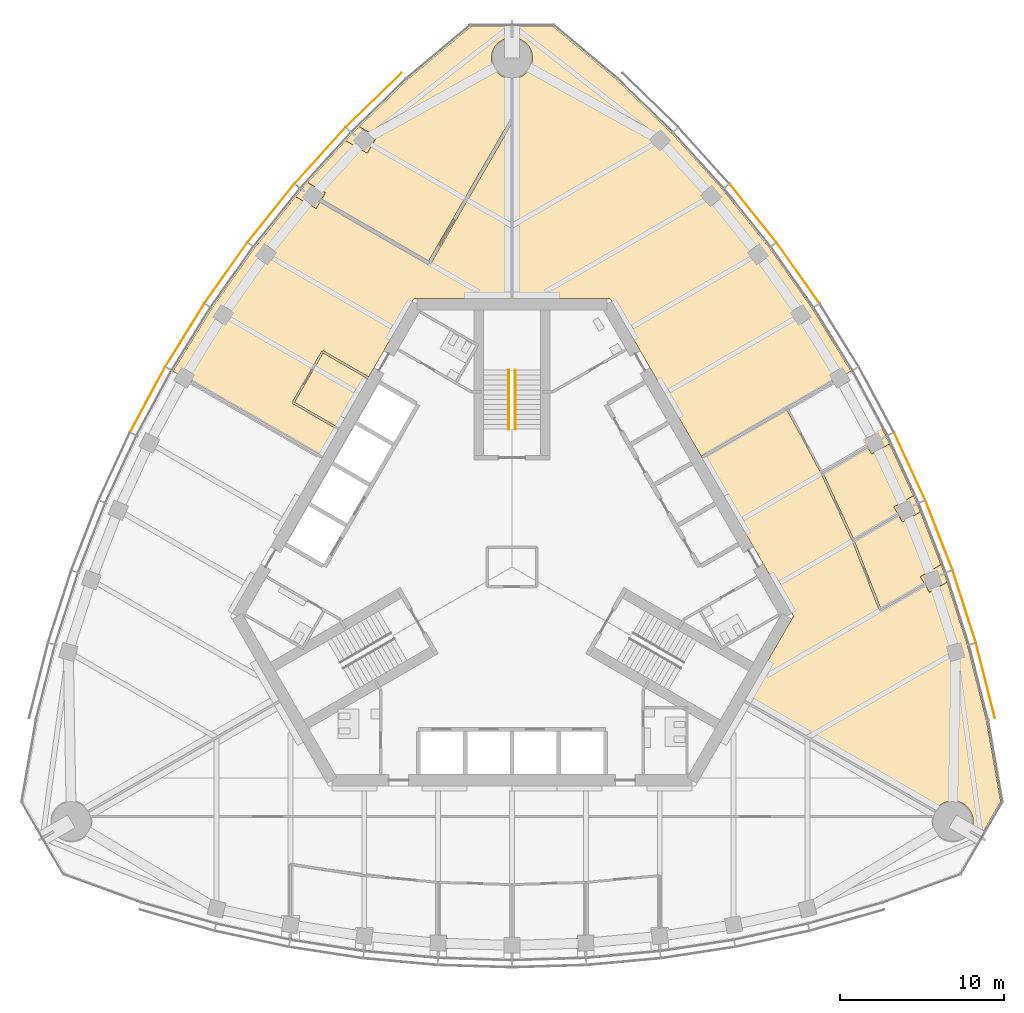
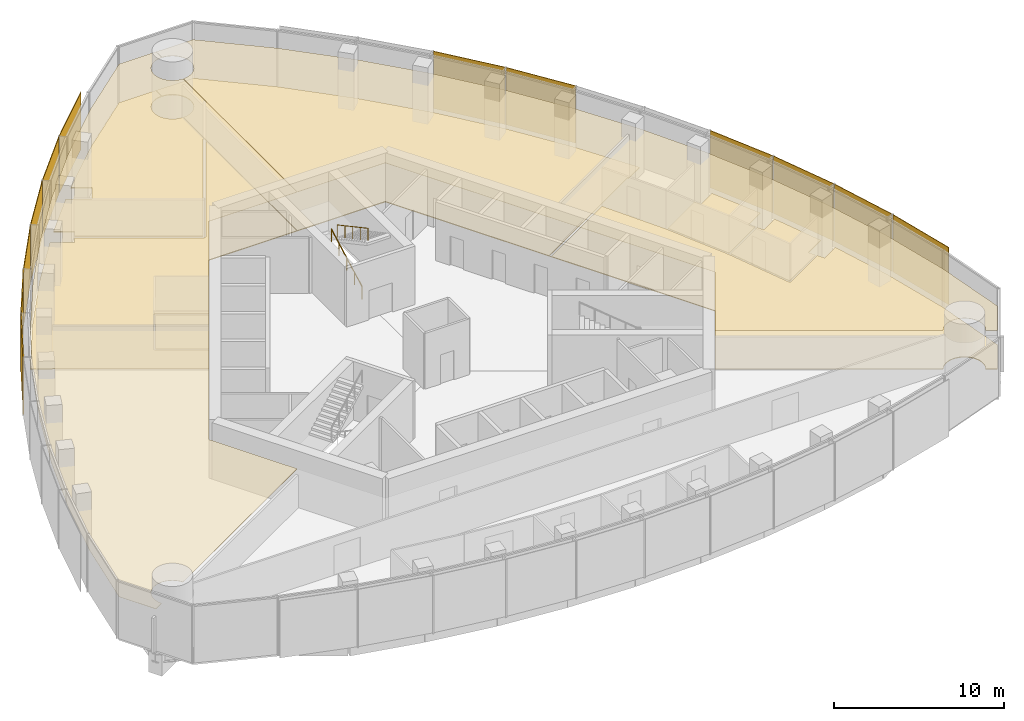
# One storey, part 13 of 16: 12 shading devices, 9 coverings, 2 railings.
"""IFC4 building model written with IfcOpenShell, lengths in metres."""

import ifcopenshell
import ifcopenshell.guid

model = None  # the IFC model being written
_history = None  # IfcOwnerHistory: only IFC2X3 demands one
_inside = {}  # id of a spatial element -> (the spatial element, [elements in it])
_under = {}  # id of a project, library or spatial element -> (it, [spatial elements below it])
_declared = {}  # id of a project -> (the project, [libraries it declares])
_typed = {}  # id of a type object -> (the type object, [elements of that type])
_made_of = {}  # id of a material, layer set ... -> (it, [elements and type objects made of it])


def new_model(schema):
    """Start an empty IFC model of exactly this schema.

    Asked for "IFC4X3", IfcOpenShell would pick the latest addendum, in which some entities
    have other attributes; the version numbers below select the first issue.
    IFC2X3 requires an IfcOwnerHistory on every rooted entity: one is made here for all.
    """
    global model, _history
    if schema == "IFC4X3":
        model = ifcopenshell.file(schema_version=(4, 3, 0, 0))
    else:
        model = ifcopenshell.file(schema=schema)
    _inside.clear()
    _under.clear()
    _declared.clear()
    _typed.clear()
    _made_of.clear()
    _history = None
    if model.schema == "IFC2X3":
        org = make("IfcOrganization", Name="unknown")
        user = make(
            "IfcPersonAndOrganization",
            ThePerson=make("IfcPerson", FamilyName="unknown"),
            TheOrganization=org,
        )
        app = make(
            "IfcApplication",
            ApplicationDeveloper=org,
            Version="unknown",
            ApplicationFullName="unknown",
            ApplicationIdentifier="unknown",
        )
        _history = make(
            "IfcOwnerHistory",
            OwningUser=user,
            OwningApplication=app,
            ChangeAction="ADDED",
            CreationDate=0,
        )
    return model


def make(cls, **values):
    """One entity of the class cls with the attributes given. An attribute that is None is left unset."""
    return model.create_entity(
        cls, **{name: value for name, value in values.items() if value is not None}
    )


def rooted(cls, **values):
    """An entity with a GlobalId (a new one), such as an element, a storey or a relation."""
    return make(cls, GlobalId=ifcopenshell.guid.new(), OwnerHistory=_history, **values)


def si_unit(unit_type, name, prefix=None):
    """IfcSIUnit, for example si_unit("LENGTHUNIT", "METRE", prefix="MILLI")."""
    return make("IfcSIUnit", UnitType=unit_type, Prefix=prefix, Name=name)


def assignment(units):
    """IfcUnitAssignment: the units of a project."""
    return None if units is None else make("IfcUnitAssignment", Units=units)


def point(xyz):
    """IfcCartesianPoint."""
    return None if xyz is None else make("IfcCartesianPoint", Coordinates=xyz)


def direction(xyz):
    """IfcDirection."""
    return None if xyz is None else make("IfcDirection", DirectionRatios=xyz)


def frame(location, z_axis=None, x_axis=None):
    """IfcAxis2Placement3D, a coordinate frame: its origin and axes. An axis left out is left unset."""
    return make(
        "IfcAxis2Placement3D",
        Location=point(location),
        Axis=direction(z_axis),
        RefDirection=direction(x_axis),
    )


def frame_2d(location, x_axis=None):
    """IfcAxis2Placement2D, a coordinate frame in the plane: its origin and x axis."""
    return make(
        "IfcAxis2Placement2D", Location=point(location), RefDirection=direction(x_axis)
    )


def origin():
    """The frame at (0, 0, 0) with its axes left unset."""
    return frame((0.0, 0.0, 0.0))


def origin_2d():
    """The frame at (0, 0) in the plane with its x axis left unset."""
    return frame_2d((0.0, 0.0))


def place(relative_to, where):
    """IfcLocalPlacement: puts the frame where relative to a parent placement (None: the world)."""
    return make(
        "IfcLocalPlacement", PlacementRelTo=relative_to, RelativePlacement=where
    )


def context(
    kind, dimensions, precision=None, world=None, true_north=None, identifier=None
):
    """IfcGeometricRepresentationContext, for example the 3D "Model" context."""
    return make(
        "IfcGeometricRepresentationContext",
        ContextIdentifier=identifier,
        ContextType=kind,
        CoordinateSpaceDimension=dimensions,
        Precision=precision,
        WorldCoordinateSystem=world,
        TrueNorth=true_north,
    )


def subcontext(parent, identifier, kind, view, scale=None):
    """IfcGeometricRepresentationSubContext, for example "Body" below "Model"."""
    return make(
        "IfcGeometricRepresentationSubContext",
        ContextIdentifier=identifier,
        ContextType=kind,
        ParentContext=parent,
        TargetScale=scale,
        TargetView=view,
    )


def project(units=None, contexts=None):
    """IfcProject with its units and contexts."""
    return rooted(
        "IfcProject",
        Name="project",
        RepresentationContexts=contexts,
        UnitsInContext=assignment(units),
    )


def spatial(cls, under=None, at=None, **own):
    """A site, building, storey or space (cls), placed at a placement, below another one or the project."""
    s = rooted(cls, ObjectPlacement=at, **own)
    if under is not None:
        _under.setdefault(under.id(), (under, []))[1].append(s)
    return s


def polyline(points):
    """IfcPolyline through the points."""
    return make("IfcPolyline", Points=[point(p) for p in points])


def profile(cls, at=None, kind="AREA", **sizes):
    """A parametric profile (cls). Its sizes go by their IFC names, for example OverallWidth=200.0."""
    return make(cls, ProfileType=kind, Position=at, **sizes)


def rectangle(**sizes):
    """IfcRectangleProfileDef."""
    return profile("IfcRectangleProfileDef", **sizes)


def circle(**sizes):
    """IfcCircleProfileDef."""
    return profile("IfcCircleProfileDef", **sizes)


def outline(outer, holes=None, kind="AREA"):
    """IfcArbitraryClosedProfileDef: a profile drawn as a closed curve; with holes, ...WithVoids."""
    if holes is None:
        return make("IfcArbitraryClosedProfileDef", ProfileType=kind, OuterCurve=outer)
    return make(
        "IfcArbitraryProfileDefWithVoids",
        ProfileType=kind,
        OuterCurve=outer,
        InnerCurves=holes,
    )


def extrude(swept, where, along, depth):
    """IfcExtrudedAreaSolid: the profile swept, set in the frame where, extruded along a direction by depth."""
    return make(
        "IfcExtrudedAreaSolid",
        SweptArea=swept,
        Position=where,
        ExtrudedDirection=direction(along),
        Depth=depth,
    )


def shape(context_of_items, identifier, shape_type, items):
    """IfcShapeRepresentation: the items that make up one representation, for example the "Body"."""
    return make(
        "IfcShapeRepresentation",
        ContextOfItems=context_of_items,
        RepresentationIdentifier=identifier,
        RepresentationType=shape_type,
        Items=items,
    )


def material(Name=None, Category=None):
    """IfcMaterial."""
    return make("IfcMaterial", Name=Name, Category=Category)


def layer(
    of_material, thickness, ventilated=None, Name=None, Category=None, Priority=None
):
    """IfcMaterialLayer: one layer of a wall or slab, of a material (None: an air gap)."""
    return make(
        "IfcMaterialLayer",
        Material=of_material,
        LayerThickness=thickness,
        IsVentilated=ventilated,
        Name=Name,
        Category=Category,
        Priority=Priority,
    )


def layer_set(layers, Name=None):
    """IfcMaterialLayerSet."""
    return make("IfcMaterialLayerSet", MaterialLayers=layers, LayerSetName=Name)


def made_of(thing, what):
    """Note that an element or type object is made of a material, layer set ...; save() writes the relation."""
    if what is not None:
        _made_of.setdefault(what.id(), (what, []))[1].append(thing)
    return thing


def type_object(cls, material=None, **own):
    """A type object (cls), such as IfcWallType, which elements share."""
    return made_of(rooted(cls, **own), material)


def element(
    cls,
    number,
    at=None,
    inside=None,
    cuts=None,
    type_object=None,
    material=None,
    context=None,
    identifier="Body",
    shape_type=None,
    held_by="IfcProductDefinitionShape",
    body=None,
    shapes=None,
    **own,
):
    """One element of the class cls, such as IfcWall. Its Tag is "e" and its number.

    at: its placement. inside: the storey or other place that contains it. cuts: it is an
    opening in that element (IfcRelVoidsElement). A single representation is given by context,
    identifier, shape_type and body (its items); several are given by shapes. held_by: the class
    of the entity that holds the representations. save() writes the other relations.
    """
    e = rooted(cls, Tag="e%d" % number, ObjectPlacement=at, **own)
    if body is not None:
        shapes = [shape(context, identifier, shape_type, body)]
    if shapes is not None:
        e.Representation = make(held_by, Representations=shapes)
    if inside is not None:
        _inside.setdefault(inside.id(), (inside, []))[1].append(e)
    if cuts is not None:
        rooted(
            "IfcRelVoidsElement", RelatingBuildingElement=cuts, RelatedOpeningElement=e
        )
    if type_object is not None:
        _typed.setdefault(type_object.id(), (type_object, []))[1].append(e)
    return made_of(e, material)


def aggregate(whole, parts):
    """IfcRelAggregates: a whole, such as a stair, and the parts it consists of."""
    return rooted("IfcRelAggregates", RelatingObject=whole, RelatedObjects=parts)


def save(model, path):
    """Write the relations noted so far, then the file.

    IfcRelAggregates (storeys below a building ...), IfcRelContainedInSpatialStructure (elements
    in a storey), IfcRelDefinesByType, IfcRelAssociatesMaterial and IfcRelDeclares: one each for
    every whole, place, type object, material and project.
    """
    for whole, parts in _under.values():
        aggregate(whole, parts)
    for where, things in _inside.values():
        rooted(
            "IfcRelContainedInSpatialStructure",
            RelatedElements=things,
            RelatingStructure=where,
        )
    for kind, things in _typed.values():
        rooted("IfcRelDefinesByType", RelatedObjects=things, RelatingType=kind)
    for what, things in _made_of.values():
        rooted("IfcRelAssociatesMaterial", RelatedObjects=things, RelatingMaterial=what)
    for by, libraries in _declared.values():
        rooted("IfcRelDeclares", RelatingContext=by, RelatedDefinitions=libraries)
    model.write(path)


model = new_model("IFC4")

# Units and contexts
model_context = context("Model", 3, precision=1e-05, world=origin(), true_north=direction((0.0, 1.0)))
body_context = subcontext(model_context, "Body", "Model", "MODEL_VIEW")
ifc_project = project(units=[si_unit("LENGTHUNIT", "METRE"), si_unit("AREAUNIT", "SQUARE_METRE"), si_unit("VOLUMEUNIT", "CUBIC_METRE"), si_unit("PLANEANGLEUNIT", "RADIAN"), si_unit("MASSUNIT", "GRAM", prefix="KILO")], contexts=[model_context])

# Site, building, storey
site_placement = place(None, origin())
site = spatial("IfcSite", under=ifc_project, at=site_placement, CompositionType="ELEMENT")
building_placement = place(site_placement, origin())
building = spatial("IfcBuilding", under=site, at=building_placement, Name="Trefoil Bronze Tower", CompositionType="ELEMENT")
storey_placement = place(building_placement, frame((0.0, 0.0, 293.10009765625)))
storey = spatial("IfcBuildingStorey", under=building, at=storey_placement, Name="L67", CompositionType="ELEMENT", Elevation=293.10009765625)

# Shading devices
ifc_material_1 = material(Name="Perforated bronze sheet", Category="bronze")
ifc_layer_1 = layer(ifc_material_1, 0.0400390625)
ifc_layer_set_1 = layer_set([ifc_layer_1], Name="Bronze solar screen panel")
shading_device_type = type_object("IfcShadingDeviceType", Name="Bronze solar screen panel", PredefinedType="SHUTTER", material=ifc_layer_set_1)
shading_device_1_placement = place(storey_placement, frame((28.843994140625, -6.927490234375, 0.0498046875), z_axis=(0.0, 0.0, 1.0), x_axis=(-0.244879561333, 0.969553505713, 0.0)))
element("IfcShadingDevice", 1, at=shading_device_1_placement, inside=storey, type_object=shading_device_type, Name="Solar screen CW-A L67 F2 bay 1", PredefinedType="SHUTTER", context=body_context, shape_type="SweptSolid", body=[
    extrude(rectangle(XDim=4.697509765625, YDim=0.0400390625, at=origin_2d()), origin(), (0.0, 0.0, 1.0), 4.10009765625),
])
shading_device_2_placement = place(storey_placement, frame((27.55322265625, -2.410888671875, 0.0498046875), z_axis=(0.0, 0.0, 1.0), x_axis=(-0.305187864214, 0.952292165009, 0.0)))
element("IfcShadingDevice", 2, at=shading_device_2_placement, inside=storey, type_object=shading_device_type, Name="Solar screen CW-A L67 F2 bay 2", PredefinedType="SHUTTER", context=body_context, shape_type="SweptSolid", body=[
    extrude(rectangle(XDim=4.574462890625, YDim=0.0400390625, at=origin_2d()), origin(), (0.0, 0.0, 1.0), 4.10009765625),
])
shading_device_3_placement = place(storey_placement, frame((26.0126953125, 1.93359375, 0.0498046875), z_axis=(0.0, 0.0, 1.0), x_axis=(-0.363198578387, 0.931711754062, 0.0)))
element("IfcShadingDevice", 3, at=shading_device_3_placement, inside=storey, type_object=shading_device_type, Name="Solar screen CW-A L67 F2 bay 3", PredefinedType="SHUTTER", context=body_context, shape_type="SweptSolid", body=[
    extrude(rectangle(XDim=4.5224609375, YDim=0.0400390625, at=origin_2d()), origin(), (0.0, 0.0, 1.0), 4.10009765625),
])
for number, where, z_axis, x_axis, name in (
    (4, (24.2255859375, 6.135986328125, 0.0498046875), (0.0, 0.0, 1.0), (-0.419309148468, 0.907843509649, 0.0), "Solar screen CW-A L67 F2 bay 4"),
    (5, (17.4267578125, 17.912109375, 0.0498046875), (0.0, 0.0, 1.0), (-0.576560967783, 0.817054129437, 0.0), "Solar screen CW-A L67 F2 bay 7"),
):
    element("IfcShadingDevice", number, at=place(storey_placement, frame(where, z_axis=z_axis, x_axis=x_axis)), inside=storey, type_object=shading_device_type, Name=name, PredefinedType="SHUTTER", context=body_context, shape_type="SweptSolid", body=[
        extrude(rectangle(XDim=4.48876953125, YDim=0.0400390625, at=origin_2d()), origin(), (0.0, 0.0, 1.0), 4.10009765625),
    ])
shading_device_4_placement = place(storey_placement, frame((14.680908203125, 21.560791015625, 0.0498046875), z_axis=(0.0, 0.0, 1.0), x_axis=(-0.625286758829, 0.780395072533, 0.0)))
element("IfcShadingDevice", 6, at=shading_device_4_placement, inside=storey, type_object=shading_device_type, Name="Solar screen CW-A L67 F2 bay 8", PredefinedType="SHUTTER", context=body_context, shape_type="SweptSolid", body=[
    extrude(rectangle(XDim=4.5224609375, YDim=0.0400390625, at=origin_2d()), origin(), (0.0, 0.0, 1.0), 4.10009765625),
])
shading_device_5_placement = place(storey_placement, frame((-8.42236328125, 28.443359375, 0.0498046875), z_axis=(0.0, 0.0, 1.0), x_axis=(-0.71721818561, -0.696848673839, 0.0)))
element("IfcShadingDevice", 7, at=shading_device_5_placement, inside=storey, type_object=shading_device_type, Name="Solar screen CW-A L67 F3 bay 1", PredefinedType="SHUTTER", context=body_context, shape_type="SweptSolid", body=[
    extrude(rectangle(XDim=4.697509765625, YDim=0.0400390625, at=origin_2d()), origin(), (0.0, 0.0, 1.0), 4.10009765625),
])
shading_device_6_placement = place(storey_placement, frame((-11.688720703125, 25.067138671875, 0.0498046875), z_axis=(0.0, 0.0, 1.0), x_axis=(-0.672115274615, -0.74044652584, 0.0)))
element("IfcShadingDevice", 8, at=shading_device_6_placement, inside=storey, type_object=shading_device_type, Name="Solar screen CW-A L67 F3 bay 2", PredefinedType="SHUTTER", context=body_context, shape_type="SweptSolid", body=[
    extrude(rectangle(XDim=4.574462890625, YDim=0.0400390625, at=origin_2d()), origin(), (0.0, 0.0, 1.0), 4.10009765625),
])
shading_device_7_placement = place(storey_placement, frame((-14.680908203125, 21.560791015625, 0.0498046875), z_axis=(0.0, 0.0, 1.0), x_axis=(-0.625286758829, -0.780395072533, 0.0)))
element("IfcShadingDevice", 9, at=shading_device_7_placement, inside=storey, type_object=shading_device_type, Name="Solar screen CW-A L67 F3 bay 3", PredefinedType="SHUTTER", context=body_context, shape_type="SweptSolid", body=[
    extrude(rectangle(XDim=4.5224609375, YDim=0.0400390625, at=origin_2d()), origin(), (0.0, 0.0, 1.0), 4.10009765625),
])
shading_device_8_placement = place(storey_placement, frame((-17.4267578125, 17.912109375, 0.0498046875), z_axis=(0.0, 0.0, 1.0), x_axis=(-0.576560967783, -0.817054129437, 0.0)))
element("IfcShadingDevice", 10, at=shading_device_8_placement, inside=storey, type_object=shading_device_type, Name="Solar screen CW-A L67 F3 bay 4", PredefinedType="SHUTTER", context=body_context, shape_type="SweptSolid", body=[
    extrude(rectangle(XDim=4.48876953125, YDim=0.0400390625, at=origin_2d()), origin(), (0.0, 0.0, 1.0), 4.10009765625),
])
for number, where, z_axis, x_axis, name in (
    (11, (-19.931396484375, 14.124267578125, 0.0498046875), (0.0, 0.0, 1.0), (-0.525979532701, -0.850497225851, 0.0), "Solar screen CW-A L67 F3 bay 5"),
    (12, (-22.19775390625, 10.198974609375, 0.0498046875), (0.0, 0.0, 1.0), (-0.473562437085, -0.880760250115, 0.0), "Solar screen CW-A L67 F3 bay 6"),
):
    element("IfcShadingDevice", number, at=place(storey_placement, frame(where, z_axis=z_axis, x_axis=x_axis)), inside=storey, type_object=shading_device_type, Name=name, PredefinedType="SHUTTER", context=body_context, shape_type="SweptSolid", body=[
        extrude(rectangle(XDim=4.47216796875, YDim=0.0400390625, at=origin_2d()), origin(), (0.0, 0.0, 1.0), 4.10009765625),
    ])

# Railings
ifc_material_2 = material(Name="Steel handrail", Category="steel")
railing_type = type_object("IfcRailingType", Name="Handrail 900", PredefinedType="HANDRAIL", material=ifc_material_2)
railing_1_placement = place(storey_placement, frame((-0.199951171875, 8.389892578125, 0.161376953125)))
element("IfcRailing", 13, at=railing_1_placement, inside=storey, type_object=railing_type, Name="Handrail ST2 flight 1 L67", PredefinedType="HANDRAIL", context=body_context, shape_type="SweptSolid", body=[
    extrude(circle(Radius=0.02392578125, at=origin_2d()), frame((0.0, 0.0, 0.8759765625), z_axis=(0.0, 0.880474934443, 0.474092701714), x_axis=(-1.0, 0.0, 0.0)), (0.0, 0.0, 1.0), 4.0888671875),
    extrude(circle(Radius=0.02099609375, at=origin_2d()), origin(), (0.0, 0.0, 1.0), 0.851806640625),
    extrude(circle(Radius=0.02099609375, at=origin_2d()), frame((0.0, 0.89990234375, 0.484619140625)), (0.0, 0.0, 1.0), 0.851806640625),
    extrude(circle(Radius=0.02099609375, at=origin_2d()), frame((0.0, 1.800048828125, 0.96923828125)), (0.0, 0.0, 1.0), 0.851806640625),
    extrude(circle(Radius=0.02099609375, at=origin_2d()), frame((0.0, 2.7001953125, 1.453857421875)), (0.0, 0.0, 1.0), 0.851806640625),
    extrude(circle(Radius=0.02099609375, at=origin_2d()), frame((0.0, 3.60009765625, 1.9384765625)), (0.0, 0.0, 1.0), 0.851806640625),
])
railing_2_placement = place(storey_placement, frame((0.199951171875, 11.989990234375, 2.261474609375)))
element("IfcRailing", 14, at=railing_2_placement, inside=storey, type_object=railing_type, Name="Handrail ST2 flight 2 L67", PredefinedType="HANDRAIL", context=body_context, shape_type="SweptSolid", body=[
    extrude(circle(Radius=0.02392578125, at=origin_2d()), frame((0.0, 0.0, 0.8759765625), z_axis=(0.0, -0.880474934443, 0.474092701714), x_axis=(1.0, 0.0, 0.0)), (0.0, 0.0, 1.0), 4.0888671875),
    extrude(circle(Radius=0.02099609375, at=origin_2d()), origin(), (0.0, 0.0, 1.0), 0.851806640625),
    extrude(circle(Radius=0.02099609375, at=origin_2d()), frame((0.0, -0.89990234375, 0.484619140625)), (0.0, 0.0, 1.0), 0.851806640625),
    extrude(circle(Radius=0.02099609375, at=origin_2d()), frame((0.0, -1.800048828125, 0.96923828125)), (0.0, 0.0, 1.0), 0.851806640625),
    extrude(circle(Radius=0.02099609375, at=origin_2d()), frame((0.0, -2.7001953125, 1.453857421875)), (0.0, 0.0, 1.0), 0.851806640625),
    extrude(circle(Radius=0.02099609375, at=origin_2d()), frame((0.0, -3.60009765625, 1.9384765625)), (0.0, 0.0, 1.0), 0.851806640625),
])

# Coverings
ifc_material_3 = material(Name="Acoustic ceiling panels", Category="mineral fibre")
ifc_layer_2 = layer(ifc_material_3, 0.02001953125)
ifc_layer_set_2 = layer_set([ifc_layer_2], Name="Office ceiling 20")
covering_type_1 = type_object("IfcCoveringType", Name="Office ceiling 20", PredefinedType="CEILING", material=ifc_layer_set_2)
covering_1_placement = place(storey_placement, frame((0.0, 0.0, 2.89990234375)))
element("IfcCovering", 15, at=covering_1_placement, inside=storey, type_object=covering_type_1, Name="Ceiling L67 Open-plan office F2", PredefinedType="CEILING", context=body_context, shape_type="SweptSolid", body=[
    extrude(outline(polyline([(9.741455078125, 26.408935546875), (12.836181640625, 22.99951171875), (15.682861328125, 19.44677734375), (18.2880859375, 15.7548828125), (20.656005859375, 11.92578125), (22.7880859375, 7.960693359375), (24.682861328125, 3.8583984375), (26.336181640625, -0.38330078125), (27.741455078125, -4.76806640625), (28.899169921875, -9.3515625), (29.770263671875, -14.291748046875), (28.522216796875, -16.453125), (27.93505859375, -16.1142578125), (27.976806640625, -16.034423828125), (28.001708984375, -15.978515625), (28.023681640625, -15.921142578125), (28.04296875, -15.86279296875), (28.059326171875, -15.8037109375), (28.07275390625, -15.743896484375), (28.083251953125, -15.683349609375), (28.0908203125, -15.62255859375), (28.09521484375, -15.561279296875), (28.0966796875, -15.5), (28.09521484375, -15.438720703125), (28.0908203125, -15.37744140625), (28.083251953125, -15.316650390625), (28.07275390625, -15.256103515625), (28.059326171875, -15.1962890625), (28.04296875, -15.13720703125), (28.023681640625, -15.078857421875), (28.001708984375, -15.021484375), (27.976806640625, -14.965576171875), (27.94921875, -14.910888671875), (27.9189453125, -14.857421875), (27.885986328125, -14.805419921875), (27.850830078125, -14.75537109375), (27.81298828125, -14.70703125), (27.77294921875, -14.66064453125), (27.730712890625, -14.6162109375), (27.686279296875, -14.57373046875), (27.639892578125, -14.53369140625), (27.59130859375, -14.49609375), (27.541259765625, -14.460693359375), (27.489501953125, -14.427734375), (27.43603515625, -14.397705078125), (27.381103515625, -14.3701171875), (27.3251953125, -14.34521484375), (27.267822265625, -14.322998046875), (27.209716796875, -14.3037109375), (27.150390625, -14.28759765625), (27.0908203125, -14.27392578125), (27.0302734375, -14.263427734375), (26.96923828125, -14.256103515625), (26.908203125, -14.25146484375), (26.8466796875, -14.25), (26.785400390625, -14.25146484375), (26.724365234375, -14.256103515625), (26.663330078125, -14.263427734375), (26.602783203125, -14.27392578125), (26.543212890625, -14.28759765625), (26.48388671875, -14.3037109375), (26.42578125, -14.322998046875), (26.368408203125, -14.34521484375), (26.312255859375, -14.3701171875), (26.257568359375, -14.397705078125), (26.2041015625, -14.427734375), (26.15234375, -14.460693359375), (26.102294921875, -14.49609375), (26.0537109375, -14.53369140625), (26.00732421875, -14.57373046875), (25.962890625, -14.6162109375), (25.920654296875, -14.66064453125), (25.880615234375, -14.70703125), (25.8427734375, -14.75537109375), (25.8076171875, -14.805419921875), (25.77001953125, -14.865478515625), (14.16259765625, -8.169677734375), (17.147216796875, -3.0), (5.9755859375, 16.35009765625), (0.006103515625, 16.35009765625), (0.01123046875, 29.750244140625), (0.061279296875, 29.75146484375), (0.12255859375, 29.756103515625), (0.183349609375, 29.763427734375), (0.243896484375, 29.77392578125), (0.3037109375, 29.78759765625), (0.36279296875, 29.8037109375), (0.421142578125, 29.822998046875), (0.478515625, 29.84521484375), (0.534423828125, 29.8701171875), (0.589111328125, 29.897705078125), (0.642578125, 29.927734375), (0.694580078125, 29.960693359375), (0.74462890625, 29.99609375), (0.79296875, 30.03369140625), (0.83935546875, 30.07373046875), (0.8837890625, 30.1162109375), (0.92626953125, 30.16064453125), (0.96630859375, 30.20703125), (1.00390625, 30.25537109375), (1.039306640625, 30.305419921875), (1.072265625, 30.357421875), (1.102294921875, 30.410888671875), (1.1298828125, 30.465576171875), (1.15478515625, 30.521484375), (1.177001953125, 30.578857421875), (1.1962890625, 30.63720703125), (1.21240234375, 30.6962890625), (1.22607421875, 30.756103515625), (1.236572265625, 30.816650390625), (1.243896484375, 30.87744140625), (1.24853515625, 30.938720703125), (1.25, 31.0), (1.24853515625, 31.061279296875), (1.243896484375, 31.12255859375), (1.236572265625, 31.183349609375), (1.22607421875, 31.243896484375), (1.21240234375, 31.3037109375), (1.1962890625, 31.36279296875), (1.177001953125, 31.421142578125), (1.15478515625, 31.478515625), (1.1298828125, 31.534423828125), (1.102294921875, 31.589111328125), (1.072265625, 31.642578125), (1.039306640625, 31.694580078125), (1.00390625, 31.74462890625), (0.96630859375, 31.79296875), (0.92626953125, 31.83935546875), (0.8837890625, 31.8837890625), (0.83935546875, 31.92626953125), (0.79296875, 31.96630859375), (0.74462890625, 32.00390625), (0.694580078125, 32.039306640625), (0.642578125, 32.072265625), (0.589111328125, 32.102294921875), (0.534423828125, 32.1298828125), (0.478515625, 32.15478515625), (0.421142578125, 32.177001953125), (0.36279296875, 32.1962890625), (0.3037109375, 32.21240234375), (0.243896484375, 32.22607421875), (0.183349609375, 32.236572265625), (0.12255859375, 32.243896484375), (0.061279296875, 32.24853515625), (0.01220703125, 32.249755859375), (0.01220703125, 32.927490234375), (2.508056640625, 32.927490234375), (6.350830078125, 29.703125), (9.741455078125, 26.408935546875)])), origin(), (0.0, 0.0, 1.0), 0.02001953125),
])
covering_2_placement = place(storey_placement, frame((0.0, 0.0, 2.89990234375)))
element("IfcCovering", 16, at=covering_2_placement, inside=storey, type_object=covering_type_1, Name="Ceiling L67 Open-plan office F3", PredefinedType="CEILING", context=body_context, shape_type="SweptSolid", body=[
    extrude(outline(polyline([(-27.741455078125, -4.76806640625), (-26.336181640625, -0.38330078125), (-24.682861328125, 3.8583984375), (-22.7880859375, 7.960693359375), (-20.656005859375, 11.92578125), (-18.2880859375, 15.7548828125), (-15.682861328125, 19.44677734375), (-12.836181640625, 22.99951171875), (-9.741455078125, 26.408935546875), (-6.350830078125, 29.703125), (-2.508056640625, 32.927490234375), (-0.01220703125, 32.927490234375), (-0.01220703125, 32.249755859375), (-0.061279296875, 32.24853515625), (-0.12255859375, 32.243896484375), (-0.183349609375, 32.236572265625), (-0.243896484375, 32.22607421875), (-0.3037109375, 32.21240234375), (-0.36279296875, 32.1962890625), (-0.421142578125, 32.177001953125), (-0.478515625, 32.15478515625), (-0.534423828125, 32.1298828125), (-0.589111328125, 32.102294921875), (-0.642578125, 32.072265625), (-0.694580078125, 32.039306640625), (-0.74462890625, 32.00390625), (-0.79296875, 31.96630859375), (-0.83935546875, 31.92626953125), (-0.8837890625, 31.8837890625), (-0.92626953125, 31.83935546875), (-0.96630859375, 31.79296875), (-1.00390625, 31.74462890625), (-1.039306640625, 31.694580078125), (-1.072265625, 31.642578125), (-1.102294921875, 31.589111328125), (-1.1298828125, 31.534423828125), (-1.15478515625, 31.478515625), (-1.177001953125, 31.421142578125), (-1.1962890625, 31.36279296875), (-1.21240234375, 31.3037109375), (-1.22607421875, 31.243896484375), (-1.236572265625, 31.183349609375), (-1.243896484375, 31.12255859375), (-1.24853515625, 31.061279296875), (-1.25, 31.0), (-1.24853515625, 30.938720703125), (-1.243896484375, 30.87744140625), (-1.236572265625, 30.816650390625), (-1.22607421875, 30.756103515625), (-1.21240234375, 30.6962890625), (-1.1962890625, 30.63720703125), (-1.177001953125, 30.578857421875), (-1.15478515625, 30.521484375), (-1.1298828125, 30.465576171875), (-1.102294921875, 30.410888671875), (-1.072265625, 30.357421875), (-1.039306640625, 30.305419921875), (-1.00390625, 30.25537109375), (-0.96630859375, 30.20703125), (-0.92626953125, 30.16064453125), (-0.8837890625, 30.1162109375), (-0.83935546875, 30.07373046875), (-0.79296875, 30.03369140625), (-0.74462890625, 29.99609375), (-0.694580078125, 29.960693359375), (-0.642578125, 29.927734375), (-0.589111328125, 29.897705078125), (-0.534423828125, 29.8701171875), (-0.478515625, 29.84521484375), (-0.421142578125, 29.822998046875), (-0.36279296875, 29.8037109375), (-0.3037109375, 29.78759765625), (-0.243896484375, 29.77392578125), (-0.183349609375, 29.763427734375), (-0.12255859375, 29.756103515625), (-0.061279296875, 29.75146484375), (-0.01123046875, 29.750244140625), (-0.006103515625, 16.35009765625), (-5.9755859375, 16.35009765625), (-17.147216796875, -3.0), (-14.16259765625, -8.169677734375), (-25.77001953125, -14.865478515625), (-25.8076171875, -14.805419921875), (-25.8427734375, -14.75537109375), (-25.880615234375, -14.70703125), (-25.920654296875, -14.66064453125), (-25.962890625, -14.6162109375), (-26.00732421875, -14.57373046875), (-26.0537109375, -14.53369140625), (-26.102294921875, -14.49609375), (-26.15234375, -14.460693359375), (-26.2041015625, -14.427734375), (-26.257568359375, -14.397705078125), (-26.312255859375, -14.3701171875), (-26.368408203125, -14.34521484375), (-26.42578125, -14.322998046875), (-26.48388671875, -14.3037109375), (-26.543212890625, -14.28759765625), (-26.602783203125, -14.27392578125), (-26.663330078125, -14.263427734375), (-26.724365234375, -14.256103515625), (-26.785400390625, -14.25146484375), (-26.8466796875, -14.25), (-26.908203125, -14.25146484375), (-26.96923828125, -14.256103515625), (-27.0302734375, -14.263427734375), (-27.0908203125, -14.27392578125), (-27.150390625, -14.28759765625), (-27.209716796875, -14.3037109375), (-27.267822265625, -14.322998046875), (-27.3251953125, -14.34521484375), (-27.381103515625, -14.3701171875), (-27.43603515625, -14.397705078125), (-27.489501953125, -14.427734375), (-27.541259765625, -14.460693359375), (-27.59130859375, -14.49609375), (-27.639892578125, -14.53369140625), (-27.686279296875, -14.57373046875), (-27.730712890625, -14.6162109375), (-27.77294921875, -14.66064453125), (-27.81298828125, -14.70703125), (-27.850830078125, -14.75537109375), (-27.885986328125, -14.805419921875), (-27.9189453125, -14.857421875), (-27.94921875, -14.910888671875), (-27.976806640625, -14.965576171875), (-28.001708984375, -15.021484375), (-28.023681640625, -15.078857421875), (-28.04296875, -15.13720703125), (-28.059326171875, -15.1962890625), (-28.07275390625, -15.256103515625), (-28.083251953125, -15.316650390625), (-28.0908203125, -15.37744140625), (-28.09521484375, -15.438720703125), (-28.0966796875, -15.5), (-28.09521484375, -15.561279296875), (-28.0908203125, -15.62255859375), (-28.083251953125, -15.683349609375), (-28.07275390625, -15.743896484375), (-28.059326171875, -15.8037109375), (-28.04296875, -15.86279296875), (-28.023681640625, -15.921142578125), (-28.001708984375, -15.978515625), (-27.976806640625, -16.034423828125), (-27.93505859375, -16.1142578125), (-28.522216796875, -16.453125), (-29.770263671875, -14.291748046875), (-28.899169921875, -9.3515625), (-27.741455078125, -4.76806640625)])), origin(), (0.0, 0.0, 1.0), 0.02001953125),
])
ifc_material_4 = material(Name="Raised access floor panels", Category="steel")
ifc_layer_3 = layer(ifc_material_4, 0.050048828125)
ifc_layer_set_3 = layer_set([ifc_layer_3], Name="Raised access floor 150")
covering_type_2 = type_object("IfcCoveringType", Name="Raised access floor 150", PredefinedType="FLOORING", material=ifc_layer_set_3)
covering_3_placement = place(storey_placement, frame((0.0, 0.0, 0.099853515625)))
element("IfcCovering", 17, at=covering_3_placement, inside=storey, type_object=covering_type_2, Name="Raised floor L67 Office F2", PredefinedType="FLOORING", context=body_context, shape_type="SweptSolid", body=[
    extrude(outline(polyline([(23.49560546875, 3.2421875), (20.8125, 1.693115234375), (18.968505859375, 5.68603515625), (21.685791015625, 7.2548828125), (21.656005859375, 7.306884765625), (21.65771484375, 7.307861328125), (21.909423828125, 6.871337890625), (23.000244140625, 7.501220703125), (24.459716796875, 4.341552734375), (23.2607421875, 3.6494140625), (23.49560546875, 3.2421875)])), origin(), (0.0, 0.0, 1.0), 0.050048828125),
])
covering_4_placement = place(storey_placement, frame((0.0, 0.0, 0.099853515625)))
element("IfcCovering", 18, at=covering_4_placement, inside=storey, type_object=covering_type_2, Name="Raised floor L67 Meeting room F2", PredefinedType="FLOORING", context=body_context, shape_type="SweptSolid", body=[
    extrude(outline(polyline([(25.121337890625, -1.015380859375), (22.4697265625, -2.54638671875), (20.8603515625, 1.58203125), (23.5556640625, 3.13818359375), (23.790771484375, 2.731201171875), (24.877685546875, 3.358642578125), (26.132568359375, 0.139404296875), (24.874267578125, -0.5869140625), (25.121337890625, -1.015380859375)])), origin(), (0.0, 0.0, 1.0), 0.050048828125),
])
covering_5_placement = place(storey_placement, frame((0.0, 0.0, 0.099853515625)))
element("IfcCovering", 19, at=covering_5_placement, inside=storey, type_object=covering_type_2, Name="Raised floor L67 Open-plan office F2", PredefinedType="FLOORING", context=body_context, shape_type="SweptSolid", body=[
    extrude(outline(polyline([(6.350830078125, 29.703125), (9.741455078125, 26.408935546875), (12.836181640625, 22.99951171875), (15.682861328125, 19.44677734375), (18.2880859375, 15.7548828125), (20.655517578125, 11.926513671875), (19.525390625, 11.274169921875), (19.48828125, 11.33837890625), (11.53271484375, 6.7451171875), (11.569580078125, 6.680908203125), (11.560791015625, 6.67578125), (5.9755859375, 16.35009765625), (0.006103515625, 16.35009765625), (0.01123046875, 29.750244140625), (0.061279296875, 29.75146484375), (0.12255859375, 29.756103515625), (0.183349609375, 29.763427734375), (0.243896484375, 29.77392578125), (0.3037109375, 29.78759765625), (0.36279296875, 29.8037109375), (0.421142578125, 29.822998046875), (0.478515625, 29.84521484375), (0.534423828125, 29.8701171875), (0.589111328125, 29.897705078125), (0.642578125, 29.927734375), (0.694580078125, 29.960693359375), (0.74462890625, 29.99609375), (0.79296875, 30.03369140625), (0.83935546875, 30.07373046875), (0.8837890625, 30.1162109375), (0.92626953125, 30.16064453125), (0.96630859375, 30.20703125), (1.00390625, 30.25537109375), (1.039306640625, 30.305419921875), (1.072265625, 30.357421875), (1.102294921875, 30.410888671875), (1.1298828125, 30.465576171875), (1.15478515625, 30.521484375), (1.177001953125, 30.578857421875), (1.1962890625, 30.63720703125), (1.21240234375, 30.6962890625), (1.22607421875, 30.756103515625), (1.236572265625, 30.816650390625), (1.243896484375, 30.87744140625), (1.24853515625, 30.938720703125), (1.25, 31.0), (1.24853515625, 31.061279296875), (1.243896484375, 31.12255859375), (1.236572265625, 31.183349609375), (1.22607421875, 31.243896484375), (1.21240234375, 31.3037109375), (1.1962890625, 31.36279296875), (1.177001953125, 31.421142578125), (1.15478515625, 31.478515625), (1.1298828125, 31.534423828125), (1.102294921875, 31.589111328125), (1.072265625, 31.642578125), (1.039306640625, 31.694580078125), (1.00390625, 31.74462890625), (0.96630859375, 31.79296875), (0.92626953125, 31.83935546875), (0.8837890625, 31.8837890625), (0.83935546875, 31.92626953125), (0.79296875, 31.96630859375), (0.74462890625, 32.00390625), (0.694580078125, 32.039306640625), (0.642578125, 32.072265625), (0.589111328125, 32.102294921875), (0.534423828125, 32.1298828125), (0.478515625, 32.15478515625), (0.421142578125, 32.177001953125), (0.36279296875, 32.1962890625), (0.3037109375, 32.21240234375), (0.243896484375, 32.22607421875), (0.183349609375, 32.236572265625), (0.12255859375, 32.243896484375), (0.061279296875, 32.24853515625), (0.01220703125, 32.249755859375), (0.01220703125, 32.927490234375), (2.508056640625, 32.927490234375), (6.350830078125, 29.703125)])), origin(), (0.0, 0.0, 1.0), 0.050048828125),
])
covering_6_placement = place(storey_placement, frame((0.0, 0.0, 0.099853515625)))
element("IfcCovering", 20, at=covering_6_placement, inside=storey, type_object=covering_type_2, Name="Raised floor L67 Open-plan office F2", PredefinedType="FLOORING", context=body_context, shape_type="SweptSolid", body=[
    extrude(outline(polyline([(14.16259765625, -8.169677734375), (17.147216796875, -3.0), (11.56201171875, 6.674072265625), (11.570556640625, 6.67919921875), (11.607666015625, 6.614990234375), (16.742431640625, 9.57958984375), (18.83740234375, 5.683837890625), (20.73046875, 1.584716796875), (22.38330078125, -2.655029296875), (22.439208984375, -2.63330078125), (22.468994140625, -2.685302734375), (25.181396484375, -1.119140625), (25.4287109375, -1.547607421875), (26.509521484375, -0.923583984375), (27.741455078125, -4.76806640625), (28.899169921875, -9.3515625), (29.770263671875, -14.291748046875), (28.522216796875, -16.453125), (27.93505859375, -16.1142578125), (27.976806640625, -16.034423828125), (28.001708984375, -15.978515625), (28.023681640625, -15.921142578125), (28.04296875, -15.86279296875), (28.059326171875, -15.8037109375), (28.07275390625, -15.743896484375), (28.083251953125, -15.683349609375), (28.0908203125, -15.62255859375), (28.09521484375, -15.561279296875), (28.0966796875, -15.5), (28.09521484375, -15.438720703125), (28.0908203125, -15.37744140625), (28.083251953125, -15.316650390625), (28.07275390625, -15.256103515625), (28.059326171875, -15.1962890625), (28.04296875, -15.13720703125), (28.023681640625, -15.078857421875), (28.001708984375, -15.021484375), (27.976806640625, -14.965576171875), (27.94921875, -14.910888671875), (27.9189453125, -14.857421875), (27.885986328125, -14.805419921875), (27.850830078125, -14.75537109375), (27.81298828125, -14.70703125), (27.77294921875, -14.66064453125), (27.730712890625, -14.6162109375), (27.686279296875, -14.57373046875), (27.639892578125, -14.53369140625), (27.59130859375, -14.49609375), (27.541259765625, -14.460693359375), (27.489501953125, -14.427734375), (27.43603515625, -14.397705078125), (27.381103515625, -14.3701171875), (27.3251953125, -14.34521484375), (27.267822265625, -14.322998046875), (27.209716796875, -14.3037109375), (27.150390625, -14.28759765625), (27.0908203125, -14.27392578125), (27.0302734375, -14.263427734375), (26.96923828125, -14.256103515625), (26.908203125, -14.25146484375), (26.8466796875, -14.25), (26.785400390625, -14.25146484375), (26.724365234375, -14.256103515625), (26.663330078125, -14.263427734375), (26.602783203125, -14.27392578125), (26.543212890625, -14.28759765625), (26.48388671875, -14.3037109375), (26.42578125, -14.322998046875), (26.368408203125, -14.34521484375), (26.312255859375, -14.3701171875), (26.257568359375, -14.397705078125), (26.2041015625, -14.427734375), (26.15234375, -14.460693359375), (26.102294921875, -14.49609375), (26.0537109375, -14.53369140625), (26.00732421875, -14.57373046875), (25.962890625, -14.6162109375), (25.920654296875, -14.66064453125), (25.880615234375, -14.70703125), (25.8427734375, -14.75537109375), (25.8076171875, -14.805419921875), (25.77001953125, -14.865478515625), (14.16259765625, -8.169677734375)])), origin(), (0.0, 0.0, 1.0), 0.050048828125),
])
covering_7_placement = place(storey_placement, frame((0.0, 0.0, 0.099853515625)))
element("IfcCovering", 21, at=covering_7_placement, inside=storey, type_object=covering_type_2, Name="Raised floor L67 Boardroom F3", PredefinedType="FLOORING", context=body_context, shape_type="SweptSolid", body=[
    extrude(outline(polyline([(-0.061279296875, 29.75146484375), (-0.01123046875, 29.750244140625), (-0.01025390625, 27.222412109375), (-0.0966796875, 27.272216796875), (-5.081787109375, 18.637939453125), (-11.601318359375, 22.402099609375), (-11.374267578125, 22.795654296875), (-12.454833984375, 23.419677734375), (-10.138427734375, 25.9716796875), (-8.816162109375, 25.2080078125), (-8.239013671875, 26.207763671875), (-9.311279296875, 26.826904296875), (-6.350830078125, 29.703125), (-2.508056640625, 32.927490234375), (-0.01220703125, 32.927490234375), (-0.01220703125, 32.249755859375), (-0.061279296875, 32.24853515625), (-0.12255859375, 32.243896484375), (-0.183349609375, 32.236572265625), (-0.243896484375, 32.22607421875), (-0.3037109375, 32.21240234375), (-0.36279296875, 32.1962890625), (-0.421142578125, 32.177001953125), (-0.478515625, 32.15478515625), (-0.534423828125, 32.1298828125), (-0.589111328125, 32.102294921875), (-0.642578125, 32.072265625), (-0.694580078125, 32.039306640625), (-0.74462890625, 32.00390625), (-0.79296875, 31.96630859375), (-0.83935546875, 31.92626953125), (-0.8837890625, 31.8837890625), (-0.92626953125, 31.83935546875), (-0.96630859375, 31.79296875), (-1.00390625, 31.74462890625), (-1.039306640625, 31.694580078125), (-1.072265625, 31.642578125), (-1.102294921875, 31.589111328125), (-1.1298828125, 31.534423828125), (-1.15478515625, 31.478515625), (-1.177001953125, 31.421142578125), (-1.1962890625, 31.36279296875), (-1.21240234375, 31.3037109375), (-1.22607421875, 31.243896484375), (-1.236572265625, 31.183349609375), (-1.243896484375, 31.12255859375), (-1.24853515625, 31.061279296875), (-1.25, 31.0), (-1.24853515625, 30.938720703125), (-1.243896484375, 30.87744140625), (-1.236572265625, 30.816650390625), (-1.22607421875, 30.756103515625), (-1.21240234375, 30.6962890625), (-1.1962890625, 30.63720703125), (-1.177001953125, 30.578857421875), (-1.15478515625, 30.521484375), (-1.1298828125, 30.465576171875), (-1.102294921875, 30.410888671875), (-1.072265625, 30.357421875), (-1.039306640625, 30.305419921875), (-1.00390625, 30.25537109375), (-0.96630859375, 30.20703125), (-0.92626953125, 30.16064453125), (-0.8837890625, 30.1162109375), (-0.83935546875, 30.07373046875), (-0.79296875, 30.03369140625), (-0.74462890625, 29.99609375), (-0.694580078125, 29.960693359375), (-0.642578125, 29.927734375), (-0.589111328125, 29.897705078125), (-0.534423828125, 29.8701171875), (-0.478515625, 29.84521484375), (-0.421142578125, 29.822998046875), (-0.36279296875, 29.8037109375), (-0.3037109375, 29.78759765625), (-0.243896484375, 29.77392578125), (-0.183349609375, 29.763427734375), (-0.12255859375, 29.756103515625), (-0.061279296875, 29.75146484375)])), origin(), (0.0, 0.0, 1.0), 0.050048828125),
])
covering_8_placement = place(storey_placement, frame((0.0, 0.0, 0.099853515625)))
element("IfcCovering", 22, at=covering_8_placement, inside=storey, type_object=covering_type_2, Name="Raised floor L67 Meeting room F3", PredefinedType="FLOORING", context=body_context, shape_type="SweptSolid", body=[
    extrude(outline(polyline([(-10.531494140625, 8.458984375), (-13.250732421875, 10.029052734375), (-11.5107421875, 13.042724609375), (-8.79150390625, 11.472900390625), (-10.531494140625, 8.458984375)])), origin(), (0.0, 0.0, 1.0), 0.050048828125),
])
covering_9_placement = place(storey_placement, frame((0.0, 0.0, 0.099853515625)))
element("IfcCovering", 23, at=covering_9_placement, inside=storey, type_object=covering_type_2, Name="Raised floor L67 Open-plan office F3", PredefinedType="FLOORING", context=body_context, shape_type="SweptSolid", body=[
    extrude(outline(polyline([(-11.560791015625, 6.67578125), (-11.569580078125, 6.680908203125), (-11.53271484375, 6.7451171875), (-19.48828125, 11.33837890625), (-19.525390625, 11.274169921875), (-20.655517578125, 11.926513671875), (-18.2880859375, 15.7548828125), (-15.682861328125, 19.44677734375), (-13.18701171875, 22.561767578125), (-11.9287109375, 21.835205078125), (-11.701416015625, 22.228759765625), (-5.09521484375, 18.414794921875), (-5.04541015625, 18.501220703125), (-4.958740234375, 18.451416015625), (-0.010009765625, 27.0224609375), (-0.006103515625, 16.35009765625), (-5.9755859375, 16.35009765625), (-8.7314453125, 11.57666015625), (-11.502685546875, 13.1767578125), (-11.53271484375, 13.124755859375), (-11.584716796875, 13.15478515625), (-13.384765625, 10.037109375), (-13.332763671875, 10.007080078125), (-13.36279296875, 9.955078125), (-10.59130859375, 8.35498046875), (-11.560791015625, 6.67578125)])), origin(), (0.0, 0.0, 1.0), 0.050048828125),
])

save(model, "model.ifc")
